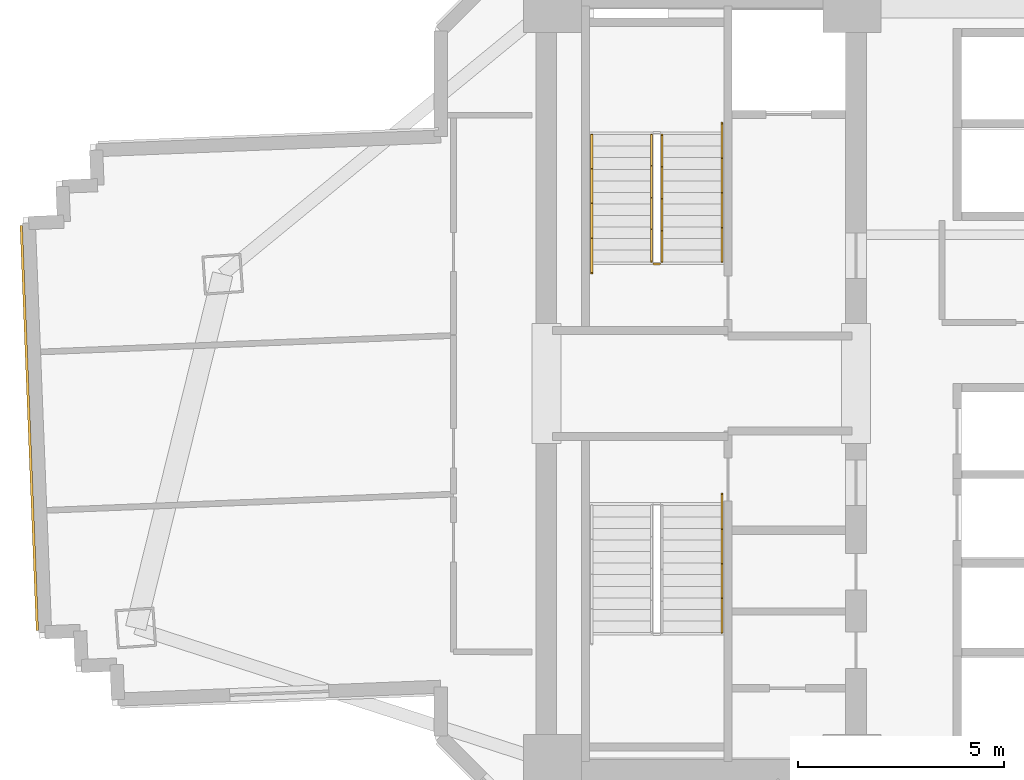
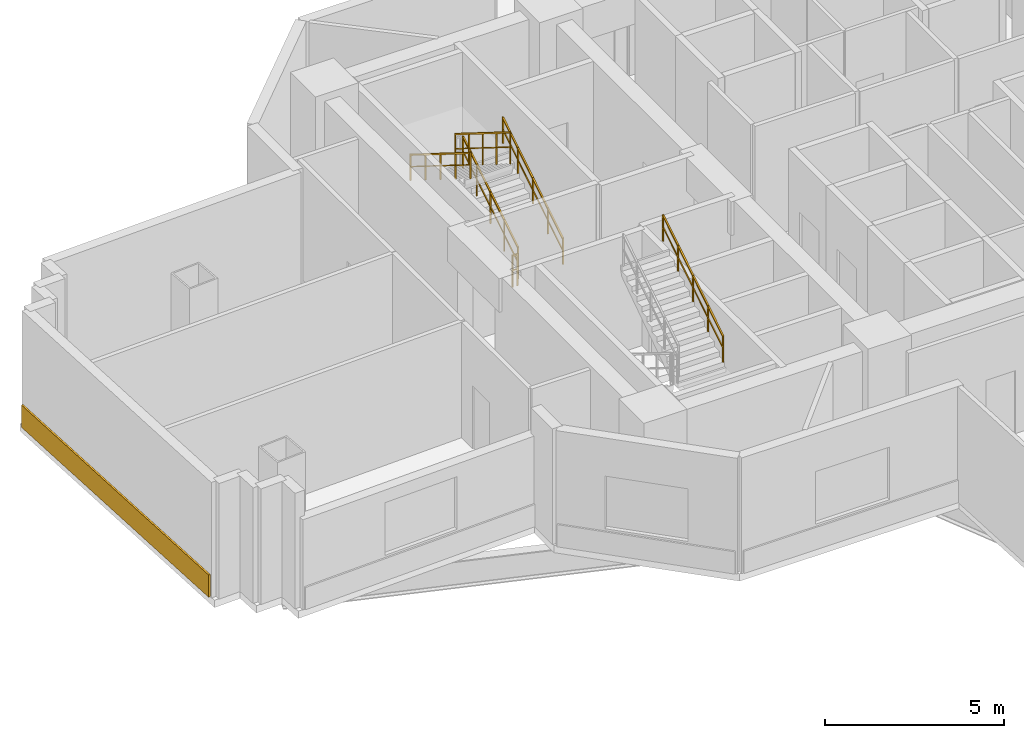
# One storey, part 13 of 16: 6 railings, 1 covering.
"""IFC4 building model written with IfcOpenShell, lengths in metres."""

from ifc_helpers import new_model, si_unit, direction, frame, origin, origin_2d, place, context, subcontext, project, spatial, rectangle, extrude, source, transform, mapped, material, layer, layer_set, type_object, element, save


model = new_model("IFC4")

# Units and contexts
model_context = context("Model", 3, precision=1e-05, world=origin(), true_north=direction((0.0, 1.0)))
body_context = subcontext(model_context, "Body", "Model", "MODEL_VIEW")
ifc_project = project(units=[si_unit("LENGTHUNIT", "METRE"), si_unit("AREAUNIT", "SQUARE_METRE"), si_unit("VOLUMEUNIT", "CUBIC_METRE"), si_unit("PLANEANGLEUNIT", "RADIAN"), si_unit("MASSUNIT", "GRAM", prefix="KILO")], contexts=[model_context])

# Site, building, storey
site_placement = place(None, origin())
site = spatial("IfcSite", under=ifc_project, at=site_placement, CompositionType="ELEMENT")
building_placement = place(site_placement, origin())
building = spatial("IfcBuilding", under=site, at=building_placement, Name="Zahravan Cultural Tower", CompositionType="ELEMENT")
storey_placement = place(building_placement, frame((0.0, 0.0, 62.699951171875)))
storey = spatial("IfcBuildingStorey", under=building, at=storey_placement, Name="L13", CompositionType="ELEMENT", Elevation=62.699951171875)

# Railings
ifc_material_1 = material(Name="Steel ASTM A572 Grade 50", Category="steel")
railing_type_1 = type_object("IfcRailingType", Name="RL-STAIR-GRD1150", PredefinedType="BALUSTRADE", material=ifc_material_1)
railing_1_placement = place(storey_placement, frame((24.300048828125, 29.949951171875, 0.175048828125)))
element("IfcRailing", 1, at=railing_1_placement, inside=storey, type_object=railing_type_1, Name="L13 ST-W1 stair guard 1", PredefinedType="BALUSTRADE", context=body_context, shape_type="SweptSolid", body=[
    extrude(rectangle(XDim=0.05, YDim=0.05, at=origin_2d()), frame((0.0, 0.0, 1.0751953125), z_axis=(0.0, 0.847998304005, 0.529998940003), x_axis=(-1.0, 0.0, 0.0)), (0.0, 0.0, 1.0), 3.632080078125),
    extrude(rectangle(XDim=0.032, YDim=0.032, at=origin_2d()), frame((0.0, 0.0, 0.572021484375), z_axis=(0.0, 0.847998304005, 0.529998940003), x_axis=(-1.0, 0.0, 0.0)), (0.0, 0.0, 1.0), 3.632080078125),
    extrude(rectangle(XDim=0.04, YDim=0.04, at=origin_2d()), origin(), (0.0, 0.0, 1.0), 1.10009765625),
    extrude(rectangle(XDim=0.04, YDim=0.04, at=origin_2d()), frame((0.0, 0.77001953125, 0.481201171875)), (0.0, 0.0, 1.0), 1.10009765625),
    extrude(rectangle(XDim=0.04, YDim=0.04, at=origin_2d()), frame((0.0, 1.5400390625, 0.96240234375)), (0.0, 0.0, 1.0), 1.10009765625),
    extrude(rectangle(XDim=0.04, YDim=0.04, at=origin_2d()), frame((0.0, 2.31005859375, 1.44384765625)), (0.0, 0.0, 1.0), 1.10009765625),
    extrude(rectangle(XDim=0.04, YDim=0.04, at=origin_2d()), frame((0.0, 3.080078125, 1.925048828125)), (0.0, 0.0, 1.0), 1.10009765625),
])
railing_2_placement = place(storey_placement, frame((24.050048828125, 33.030029296875, 2.275146484375)))
element("IfcRailing", 2, at=railing_2_placement, inside=storey, type_object=railing_type_1, Name="L13 ST-W1 stair guard 3", PredefinedType="BALUSTRADE", context=body_context, shape_type="SweptSolid", body=[
    extrude(rectangle(XDim=0.05, YDim=0.05, at=origin_2d()), frame((0.0, 0.0, 1.0751953125), z_axis=(0.0, -0.848028513186, 0.529950602248), x_axis=(1.0, 0.0, 0.0)), (0.0, 0.0, 1.0), 3.632080078125),
    extrude(rectangle(XDim=0.032, YDim=0.032, at=origin_2d()), frame((0.0, 0.0, 0.572021484375), z_axis=(0.0, -0.848028513186, 0.529950602248), x_axis=(1.0, 0.0, 0.0)), (0.0, 0.0, 1.0), 3.632080078125),
    extrude(rectangle(XDim=0.04, YDim=0.04, at=origin_2d()), origin(), (0.0, 0.0, 1.0), 1.10009765625),
    extrude(rectangle(XDim=0.04, YDim=0.04, at=origin_2d()), frame((0.0, -0.77001953125, 0.481201171875)), (0.0, 0.0, 1.0), 1.10009765625),
    extrude(rectangle(XDim=0.04, YDim=0.04, at=origin_2d()), frame((0.0, -1.5400390625, 0.96240234375)), (0.0, 0.0, 1.0), 1.10009765625),
    extrude(rectangle(XDim=0.04, YDim=0.04, at=origin_2d()), frame((0.0, -2.31005859375, 1.443603515625)), (0.0, 0.0, 1.0), 1.10009765625),
    extrude(rectangle(XDim=0.04, YDim=0.04, at=origin_2d()), frame((0.0, -3.080078125, 1.9248046875)), (0.0, 0.0, 1.0), 1.10009765625),
])
railing_3_placement = place(storey_placement, frame((24.25, 29.89990234375, 0.0)))
element("IfcRailing", 3, at=railing_3_placement, inside=storey, type_object=railing_type_1, Name="L13 ST-W1 stair guard 4", PredefinedType="BALUSTRADE", context=body_context, shape_type="SweptSolid", body=[
    extrude(rectangle(XDim=0.05, YDim=0.05, at=origin_2d()), frame((0.0, 0.0, 1.0751953125), z_axis=(-1.0, 0.0, 0.0), x_axis=(0.0, -1.0, 0.0)), (0.0, 0.0, 1.0), 0.14990234375),
    extrude(rectangle(XDim=0.032, YDim=0.032, at=origin_2d()), frame((0.0, 0.0, 0.572021484375), z_axis=(-1.0, 0.0, 0.0), x_axis=(0.0, -1.0, 0.0)), (0.0, 0.0, 1.0), 0.14990234375),
    extrude(rectangle(XDim=0.04, YDim=0.04, at=origin_2d()), origin(), (0.0, 0.0, 1.0), 1.10009765625),
    extrude(rectangle(XDim=0.04, YDim=0.04, at=origin_2d()), frame((-0.14990234375, 0.0, 0.0)), (0.0, 0.0, 1.0), 1.10009765625),
])
railing_type_2 = type_object("IfcRailingType", Name="RL-STAIR-HR900", PredefinedType="HANDRAIL", material=ifc_material_1)
railing_4_placement = place(storey_placement, frame((25.75, 29.949951171875, 0.175048828125)))
element("IfcRailing", 4, at=railing_4_placement, inside=storey, type_object=railing_type_2, Name="L13 ST-W1 stair handrail 1", PredefinedType="HANDRAIL", context=body_context, shape_type="SweptSolid", body=[
    extrude(rectangle(XDim=0.05, YDim=0.05, at=origin_2d()), frame((0.0, 0.0, 0.875), z_axis=(0.0, 0.847994842521, 0.530004478338), x_axis=(-1.0, 0.0, 0.0)), (0.0, 0.0, 1.0), 3.96240234375),
    extrude(rectangle(XDim=0.032, YDim=0.032, at=origin_2d()), frame((0.0, 0.0, 0.468017578125), z_axis=(0.0, 0.847994842521, 0.530004478338), x_axis=(-1.0, 0.0, 0.0)), (0.0, 0.0, 1.0), 3.96240234375),
    extrude(rectangle(XDim=0.04, YDim=0.04, at=origin_2d()), origin(), (0.0, 0.0, 1.0), 0.89990234375),
    extrude(rectangle(XDim=0.04, YDim=0.04, at=origin_2d()), frame((0.0, 0.840087890625, 0.52490234375)), (0.0, 0.0, 1.0), 0.89990234375),
    extrude(rectangle(XDim=0.04, YDim=0.04, at=origin_2d()), frame((0.0, 1.68017578125, 1.050048828125)), (0.0, 0.0, 1.0), 0.89990234375),
    extrude(rectangle(XDim=0.04, YDim=0.04, at=origin_2d()), frame((0.0, 2.52001953125, 1.5751953125)), (0.0, 0.0, 1.0), 0.89990234375),
    extrude(rectangle(XDim=0.04, YDim=0.04, at=origin_2d()), frame((0.0, 3.360107421875, 2.10009765625)), (0.0, 0.0, 1.0), 0.89990234375),
])
railing_5_placement = place(storey_placement, frame((22.60009765625, 33.030029296875, 2.275146484375)))
element("IfcRailing", 5, at=railing_5_placement, inside=storey, type_object=railing_type_2, Name="L13 ST-W1 stair handrail 2", PredefinedType="HANDRAIL", context=body_context, shape_type="SweptSolid", body=[
    extrude(rectangle(XDim=0.05, YDim=0.05, at=origin_2d()), frame((0.0, 0.0, 0.875), z_axis=(0.0, -0.848022534174, 0.529960169762), x_axis=(1.0, 0.0, 0.0)), (0.0, 0.0, 1.0), 3.96240234375),
    extrude(rectangle(XDim=0.032, YDim=0.032, at=origin_2d()), frame((0.0, 0.0, 0.468017578125), z_axis=(0.0, -0.848022534174, 0.529960169762), x_axis=(1.0, 0.0, 0.0)), (0.0, 0.0, 1.0), 3.96240234375),
    extrude(rectangle(XDim=0.04, YDim=0.04, at=origin_2d()), origin(), (0.0, 0.0, 1.0), 0.89990234375),
    extrude(rectangle(XDim=0.04, YDim=0.04, at=origin_2d()), frame((0.0, -0.840087890625, 0.52490234375)), (0.0, 0.0, 1.0), 0.89990234375),
    extrude(rectangle(XDim=0.04, YDim=0.04, at=origin_2d()), frame((0.0, -1.68017578125, 1.0498046875)), (0.0, 0.0, 1.0), 0.89990234375),
    extrude(rectangle(XDim=0.04, YDim=0.04, at=origin_2d()), frame((0.0, -2.52001953125, 1.574951171875)), (0.0, 0.0, 1.0), 0.89990234375),
    extrude(rectangle(XDim=0.04, YDim=0.04, at=origin_2d()), frame((0.0, -3.360107421875, 2.099853515625)), (0.0, 0.0, 1.0), 0.89990234375),
])
railing_6_placement = place(storey_placement, frame((25.75, 20.969970703125, 2.275146484375)))
element("IfcRailing", 6, at=railing_6_placement, inside=storey, type_object=railing_type_2, Name="L13 ST-W2 stair handrail 2", PredefinedType="HANDRAIL", context=body_context, shape_type="SweptSolid", body=[
    extrude(rectangle(XDim=0.05, YDim=0.05, at=origin_2d()), frame((0.0, 0.0, 0.875), z_axis=(0.0, 0.848022534174, 0.529960169762), x_axis=(-1.0, 0.0, 0.0)), (0.0, 0.0, 1.0), 3.96240234375),
    extrude(rectangle(XDim=0.032, YDim=0.032, at=origin_2d()), frame((0.0, 0.0, 0.468017578125), z_axis=(0.0, 0.848022534174, 0.529960169762), x_axis=(-1.0, 0.0, 0.0)), (0.0, 0.0, 1.0), 3.96240234375),
    extrude(rectangle(XDim=0.04, YDim=0.04, at=origin_2d()), origin(), (0.0, 0.0, 1.0), 0.89990234375),
    extrude(rectangle(XDim=0.04, YDim=0.04, at=origin_2d()), frame((0.0, 0.840087890625, 0.52490234375)), (0.0, 0.0, 1.0), 0.89990234375),
    extrude(rectangle(XDim=0.04, YDim=0.04, at=origin_2d()), frame((0.0, 1.68017578125, 1.0498046875)), (0.0, 0.0, 1.0), 0.89990234375),
    extrude(rectangle(XDim=0.04, YDim=0.04, at=origin_2d()), frame((0.0, 2.52001953125, 1.574951171875)), (0.0, 0.0, 1.0), 0.89990234375),
    extrude(rectangle(XDim=0.04, YDim=0.04, at=origin_2d()), frame((0.0, 3.360107421875, 2.099853515625)), (0.0, 0.0, 1.0), 0.89990234375),
])

# Covering
ifc_material_2 = material(Name="Terracotta ceramic cladding", Category="masonry")
ifc_layer = layer(ifc_material_2, 0.06005859375)
ifc_layer_set = layer_set([ifc_layer], Name="Terracotta ceramic cladding")
covering_type = type_object("IfcCoveringType", Name="COV-CLAD-TC60", PredefinedType="CLADDING", material=ifc_layer_set)
shared_shape = source(origin(), body_context, "Body", "SweptSolid", [
    extrude(rectangle(XDim=9.820068359375, YDim=0.06005859375, at=origin_2d()), origin(), (0.0, 0.0, 1.0), 0.760009765625),
])
covering_placement = place(storey_placement, frame((8.976318359375, 25.924072265625, 0.02001953125), z_axis=(0.0, 0.0, 1.0), x_axis=(-0.039783005453, 0.999208342878, 0.0)))
element("IfcCovering", 7, at=covering_placement, inside=storey, type_object=covering_type, Name="L13 Terracotta Spandrel Cladding 33", PredefinedType="CLADDING", context=body_context, shape_type="MappedRepresentation", body=[
    mapped(shared_shape, transform((0.0, 0.0, 0.0), x_axis=(1.0, 0.0, 0.0), y_axis=(0.0, 1.0, 0.0), z_axis=(0.0, 0.0, 1.0), scale=1.0)),
])

save(model, "model.ifc")
